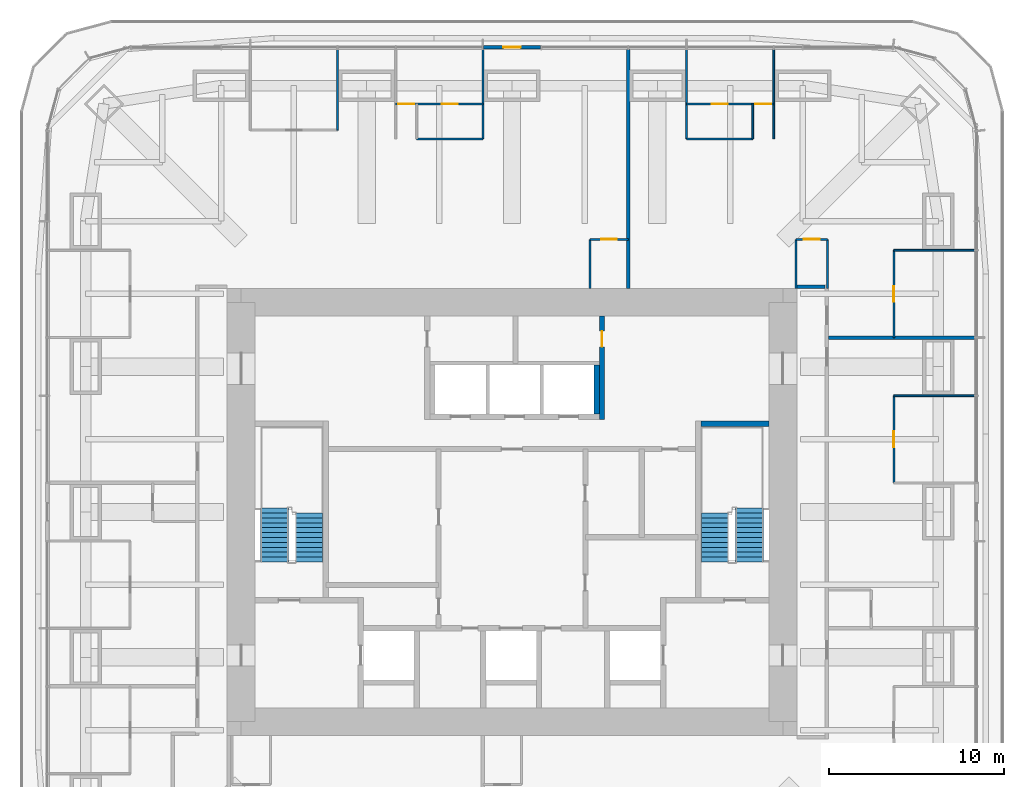
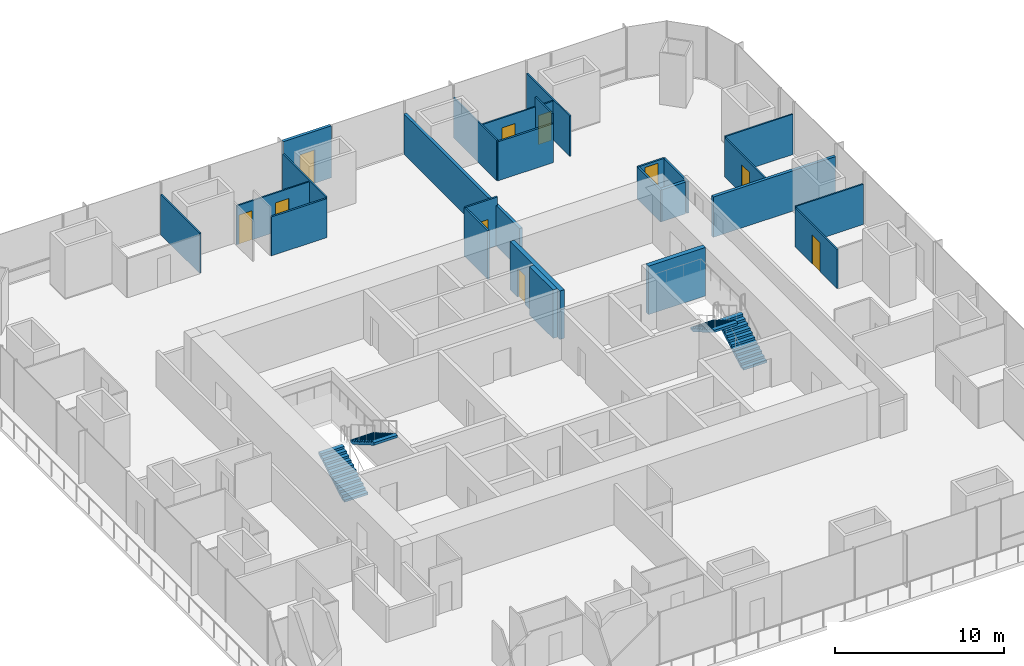
# One storey, part 11 of 15: 25 walls, 10 doors, 4 stair flights, 10 openings, 2 elements without a shape of their own.
"""IFC4 building model written with IfcOpenShell, lengths in metres."""

from ifc_helpers import new_model, si_unit, direction, frame, frame_2d, origin, place, context, subcontext, project, spatial, polyline, rectangle, outline, extrude, material, layer, layer_set, type_object, element, fill, aggregate, save


model = new_model("IFC4")

# Units and contexts
model_context = context("Model", 3, precision=1e-05, world=origin(), true_north=direction((0.0, 1.0)))
body_context = subcontext(model_context, "Body", "Model", "MODEL_VIEW")
ifc_project = project(units=[si_unit("LENGTHUNIT", "METRE"), si_unit("AREAUNIT", "SQUARE_METRE"), si_unit("VOLUMEUNIT", "CUBIC_METRE"), si_unit("PLANEANGLEUNIT", "RADIAN"), si_unit("MASSUNIT", "GRAM", prefix="KILO")], contexts=[model_context])

# Site, building, storey
site_placement = place(None, origin())
site = spatial("IfcSite", under=ifc_project, at=site_placement, CompositionType="ELEMENT")
building_placement = place(site_placement, origin())
building = spatial("IfcBuilding", under=site, at=building_placement, Name="Khuree Lantern Residences", CompositionType="ELEMENT")
storey_placement = place(building_placement, frame((0.0, 0.0, 199.5)))
storey = spatial("IfcBuildingStorey", under=building, at=storey_placement, Name="L49", CompositionType="ELEMENT", Elevation=199.5)

# Wall
ifc_material_1 = material(Name="Moisture-resistant gypsum board on steel studs", Category="steel")
ifc_layer_1 = layer(ifc_material_1, 0.125)
ifc_layer_set_1 = layer_set([ifc_layer_1], Name="BATHROOM WALL BTW125")
wall_type_1 = type_object("IfcWallType", Name="BATHROOM WALL BTW125", PredefinedType="PARTITIONING", material=ifc_layer_set_1)
wall_1_placement = place(storey_placement, frame((13.77587890625, 21.344970703125, 0.0), z_axis=(0.0, 0.0, 1.0), x_axis=(-1.0, 0.0, 0.0)))
element("IfcWall", 1, at=wall_1_placement, inside=storey, type_object=wall_type_1, Name="L49 BATHROOM WALL 02", PredefinedType="PARTITIONING", context=body_context, shape_type="SweptSolid", body=[
    extrude(rectangle(XDim=3.7919921875, YDim=0.125, at=frame_2d((1.89599609375, 0.0))), origin(), (0.0, 0.0, 1.0), 2.81005859375),
])

# Wall, opening, door
wall_2_placement = place(storey_placement, frame((18.050048828125, 15.60009765625, 0.0), z_axis=(0.0, 0.0, 1.0), x_axis=(-1.0, 0.0, 0.0)))
wall_2 = element("IfcWall", 2, at=wall_2_placement, inside=storey, type_object=wall_type_1, Name="L49 BATHROOM WALL 02", PredefinedType="PARTITIONING", context=body_context, shape_type="SweptSolid", body=[
    extrude(rectangle(XDim=1.800048828125, YDim=0.125, at=frame_2d((0.89990234375, 0.0))), origin(), (0.0, 0.0, 1.0), 2.300048828125),
])
opening_1_placement = place(wall_2_placement, frame((0.449951171875, 0.0, 0.0)))
opening_1 = element("IfcOpeningElement", 3, at=opening_1_placement, cuts=wall_2, Name="Opening 49-029", PredefinedType="OPENING", context=body_context, shape_type="SweptSolid", body=[
    extrude(rectangle(XDim=0.89990234375, YDim=2.10009765625, at=frame_2d((0.449951171875, 1.050048828125))), frame((0.0, 0.072509765625, 0.0), z_axis=(0.0, -1.0, 0.0), x_axis=(1.0, 0.0, 0.0)), (0.0, 0.0, 1.0), 0.14501953125),
])
ifc_material_2 = material(Name="Timber door leaf in hardwood frame", Category="wood")
door_type_1 = type_object("IfcDoorType", Name="BATHROOM DOOR 900X2100", OperationType="SINGLE_SWING_LEFT", PredefinedType="DOOR", material=ifc_material_2)
door_1_placement = place(opening_1_placement, origin())
door_1 = element("IfcDoor", 4, at=door_1_placement, inside=storey, type_object=door_type_1, Name="Bathroom door 49-029", OperationType="SINGLE_SWING_LEFT", OverallHeight=2.10009765625, OverallWidth=0.89990234375, PredefinedType="DOOR", context=body_context, shape_type="SweptSolid", body=[
    extrude(rectangle(XDim=0.89990234375, YDim=2.10009765625, at=frame_2d((0.449951171875, 1.050048828125))), frame((0.0, 0.02490234375, 0.0), z_axis=(0.0, -1.0, 0.0), x_axis=(1.0, 0.0, 0.0)), (0.0, 0.0, 1.0), 0.050048828125),
])
fill(opening_1, door_1)

# Walls
for number, where, z_axis, x_axis, name in (
    (5, (18.050048828125, 12.800048828125, 0.0), (0.0, 0.0, 1.0), (0.0, 1.0, 0.0), "L49 BATHROOM WALL 02"),
    (6, (16.25, 12.800048828125, 0.0), (0.0, 0.0, 1.0), (0.0, 1.0, 0.0), "L49 BATHROOM WALL 02"),
):
    element("IfcWall", number, at=place(storey_placement, frame(where, z_axis=z_axis, x_axis=x_axis)), inside=storey, type_object=wall_type_1, Name=name, PredefinedType="PARTITIONING", context=body_context, shape_type="SweptSolid", body=[
        extrude(rectangle(XDim=2.800048828125, YDim=0.125, at=frame_2d((1.39990234375, 0.0))), origin(), (0.0, 0.0, 1.0), 2.300048828125),
    ])
wall_3_placement = place(storey_placement, frame((-1.6640625, 21.344970703125, 0.0), z_axis=(0.0, 0.0, 1.0), x_axis=(-1.0, 0.0, 0.0)))
element("IfcWall", 7, at=wall_3_placement, inside=storey, type_object=wall_type_1, Name="L49 BATHROOM WALL 03", PredefinedType="PARTITIONING", context=body_context, shape_type="SweptSolid", body=[
    extrude(rectangle(XDim=3.7919921875, YDim=0.125, at=frame_2d((1.89599609375, 0.0))), origin(), (0.0, 0.0, 1.0), 2.81005859375),
])

# Wall, opening, door
wall_4_placement = place(storey_placement, frame((6.656005859375, 15.60009765625, 0.0), z_axis=(0.0, 0.0, 1.0), x_axis=(-1.0, 0.0, 0.0)))
wall_4 = element("IfcWall", 8, at=wall_4_placement, inside=storey, type_object=wall_type_1, Name="L49 BATHROOM WALL 03", PredefinedType="PARTITIONING", context=body_context, shape_type="SweptSolid", body=[
    extrude(rectangle(XDim=2.199951171875, YDim=0.125, at=frame_2d((1.10009765625, 0.0))), origin(), (0.0, 0.0, 1.0), 3.5),
])
opening_2_placement = place(wall_4_placement, frame((0.64990234375, 0.0, 0.0)))
opening_2 = element("IfcOpeningElement", 9, at=opening_2_placement, cuts=wall_4, Name="Opening 49-035", PredefinedType="OPENING", context=body_context, shape_type="SweptSolid", body=[
    extrude(rectangle(XDim=0.89990234375, YDim=2.10009765625, at=frame_2d((0.449951171875, 1.050048828125))), frame((0.0, 0.072509765625, 0.0), z_axis=(0.0, -1.0, 0.0), x_axis=(1.0, 0.0, 0.0)), (0.0, 0.0, 1.0), 0.14501953125),
])
door_2_placement = place(opening_2_placement, origin())
door_2 = element("IfcDoor", 10, at=door_2_placement, inside=storey, type_object=door_type_1, Name="Bathroom door 49-035", OperationType="SINGLE_SWING_LEFT", OverallHeight=2.10009765625, OverallWidth=0.89990234375, PredefinedType="DOOR", context=body_context, shape_type="SweptSolid", body=[
    extrude(rectangle(XDim=0.89990234375, YDim=2.10009765625, at=frame_2d((0.449951171875, 1.050048828125))), frame((0.0, 0.02490234375, 0.0), z_axis=(0.0, -1.0, 0.0), x_axis=(1.0, 0.0, 0.0)), (0.0, 0.0, 1.0), 0.050048828125),
])
fill(opening_2, door_2)

# Walls
wall_5_placement = place(storey_placement, frame((4.4560546875, 12.800048828125, 0.0), z_axis=(0.0, 0.0, 1.0), x_axis=(0.0, 1.0, 0.0)))
element("IfcWall", 11, at=wall_5_placement, inside=storey, type_object=wall_type_1, Name="L49 BATHROOM WALL 03", PredefinedType="PARTITIONING", context=body_context, shape_type="SweptSolid", body=[
    extrude(rectangle(XDim=2.800048828125, YDim=0.125, at=frame_2d((1.39990234375, 0.0))), origin(), (0.0, 0.0, 1.0), 3.5),
])
ifc_material_3 = material(Name="Dense concrete blockwork", Category="masonry")
ifc_layer_2 = layer(ifc_material_3, 0.300048828125)
ifc_layer_set_2 = layer_set([ifc_layer_2], Name="CORE PARTITION WALL CPW300 EI 120")
wall_type_2 = type_object("IfcWallType", Name="CORE PARTITION WALL CPW300 EI 120", PredefinedType="PARTITIONING", material=ifc_layer_set_2)
wall_6_placement = place(storey_placement, frame((4.85009765625, 5.60009765625, 0.0), z_axis=(0.0, 0.0, 1.0), x_axis=(0.0, 1.0, 0.0)))
element("IfcWall", 12, at=wall_6_placement, inside=storey, type_object=wall_type_2, Name="L49 CORE WALL PHE", PredefinedType="PARTITIONING", context=body_context, shape_type="SweptSolid", body=[
    extrude(rectangle(XDim=2.7998046875, YDim=0.300048828125, at=frame_2d((1.39990234375, 0.0))), origin(), (0.0, 0.0, 1.0), 3.5),
])

# Wall, opening, door
wall_7_placement = place(storey_placement, frame((5.14990234375, 5.300048828125, 0.0), z_axis=(0.0, 0.0, 1.0), x_axis=(0.0, 1.0, 0.0)))
wall_7 = element("IfcWall", 13, at=wall_7_placement, inside=storey, type_object=wall_type_2, Name="L49 CORE WALL NE", PredefinedType="PARTITIONING", context=body_context, shape_type="SweptSolid", body=[
    extrude(rectangle(XDim=5.89990234375, YDim=0.300048828125, at=frame_2d((2.949951171875, 0.0))), origin(), (0.0, 0.0, 1.0), 3.5),
])
opening_3_placement = place(wall_7_placement, frame((4.14990234375, 0.0, 0.0)))
opening_3 = element("IfcOpeningElement", 14, at=opening_3_placement, cuts=wall_7, Name="Opening 49-022", PredefinedType="OPENING", context=body_context, shape_type="SweptSolid", body=[
    extrude(rectangle(XDim=0.89990234375, YDim=2.10009765625, at=frame_2d((0.449951171875, 1.050048828125))), frame((0.0, 0.16015625, 0.0), z_axis=(0.0, -1.0, 0.0), x_axis=(1.0, 0.0, 0.0)), (0.0, 0.0, 1.0), 0.320068359375),
])
door_type_2 = type_object("IfcDoorType", Name="DOOR 900X2100", OperationType="SINGLE_SWING_LEFT", PredefinedType="DOOR", material=ifc_material_2)
door_3_placement = place(opening_3_placement, origin())
door_3 = element("IfcDoor", 15, at=door_3_placement, inside=storey, type_object=door_type_2, Name="Building management room door 49-022", OperationType="SINGLE_SWING_LEFT", OverallHeight=2.10009765625, OverallWidth=0.89990234375, PredefinedType="DOOR", context=body_context, shape_type="SweptSolid", body=[
    extrude(rectangle(XDim=0.89990234375, YDim=2.10009765625, at=frame_2d((0.449951171875, 1.050048828125))), frame((0.0, 0.02490234375, 0.0), z_axis=(0.0, -1.0, 0.0), x_axis=(1.0, 0.0, 0.0)), (0.0, 0.0, 1.0), 0.050048828125),
])
fill(opening_3, door_3)

# Walls
ifc_material_4 = material(Name="Gypsum board on steel studs", Category="steel")
ifc_layer_3 = layer(ifc_material_4, 0.199951171875)
ifc_layer_set_3 = layer_set([ifc_layer_3], Name="CORRIDOR WALL CRW200 EI 60")
wall_type_3 = type_object("IfcWallType", Name="CORRIDOR WALL CRW200 EI 60", PredefinedType="PARTITIONING", material=ifc_layer_set_3)
wall_8_placement = place(storey_placement, frame((16.300048828125, 12.89990234375, 0.0), z_axis=(0.0, 0.0, 1.0), x_axis=(1.0, 0.0, 0.0)))
element("IfcWall", 16, at=wall_8_placement, inside=storey, type_object=wall_type_3, Name="L49 EAST CORRIDOR NORTH END WALL", PredefinedType="PARTITIONING", context=body_context, shape_type="SweptSolid", body=[
    extrude(rectangle(XDim=1.599853515625, YDim=0.199951171875, at=frame_2d((0.7998046875, 0.0))), origin(), (0.0, 0.0, 1.0), 2.300048828125),
])
ifc_layer_4 = layer(ifc_material_4, 0.199951171875)
ifc_layer_set_4 = layer_set([ifc_layer_4], Name="DEMISING WALL DMW200 EI 90")
wall_type_4 = type_object("IfcWallType", Name="DEMISING WALL DMW200 EI 90", PredefinedType="PARTITIONING", material=ifc_layer_set_4)
wall_9_placement = place(storey_placement, frame((18.10009765625, 9.98388671875, 0.0), z_axis=(0.0, 0.0, 1.0), x_axis=(1.0, 0.0, 0.0)))
element("IfcWall", 17, at=wall_9_placement, inside=storey, type_object=wall_type_4, Name="L49 DEMISING WALL 02", PredefinedType="PARTITIONING", context=body_context, shape_type="SweptSolid", body=[
    extrude(rectangle(XDim=8.349853515625, YDim=0.199951171875, at=frame_2d((4.1748046875, 0.0))), origin(), (0.0, 0.0, 1.0), 2.909912109375),
])
wall_10_placement = place(storey_placement, frame((6.656005859375, 12.800048828125, 0.0), z_axis=(0.0, 0.0, 1.0), x_axis=(0.0, 1.0, 0.0)))
element("IfcWall", 18, at=wall_10_placement, inside=storey, type_object=wall_type_4, Name="L49 DEMISING WALL 03", PredefinedType="PARTITIONING", context=body_context, shape_type="SweptSolid", body=[
    extrude(rectangle(XDim=13.64990234375, YDim=0.199951171875, at=frame_2d((6.824951171875, 0.0))), origin(), (0.0, 0.0, 1.0), 2.909912109375),
])
ifc_layer_5 = layer(ifc_material_4, 0.10009765625)
ifc_layer_set_5 = layer_set([ifc_layer_5], Name="PARTITION PT100")
wall_type_5 = type_object("IfcWallType", Name="PARTITION PT100", PredefinedType="PARTITIONING", material=ifc_layer_set_5)
for number, where, z_axis, x_axis, name in (
    (19, (21.85009765625, 6.656005859375, 0.0), (0.0, 0.0, 1.0), (1.0, 0.0, 0.0), "L49 PARTITION 01"),
    (20, (21.85009765625, 14.97607421875, 0.0), (0.0, 0.0, 1.0), (1.0, 0.0, 0.0), "L49 PARTITION 02"),
):
    element("IfcWall", number, at=place(storey_placement, frame(where, z_axis=z_axis, x_axis=x_axis)), inside=storey, type_object=wall_type_5, Name=name, PredefinedType="PARTITIONING", context=body_context, shape_type="SweptSolid", body=[
        extrude(rectangle(XDim=4.599853515625, YDim=0.10009765625, at=frame_2d((2.2998046875, 0.0))), origin(), (0.0, 0.0, 1.0), 2.909912109375),
    ])
for number, where, z_axis, x_axis, name in (
    (21, (14.97607421875, 21.344970703125, 0.0), (0.0, 0.0, 1.0), (0.0, 1.0, 0.0), "L49 PARTITION 02"),
    (22, (9.98388671875, 21.344970703125, 0.0), (0.0, 0.0, 1.0), (0.0, 1.0, 0.0), "L49 PARTITION 02"),
    (23, (-1.6640625, 21.344970703125, 0.0), (0.0, 0.0, 1.0), (0.0, 1.0, 0.0), "L49 PARTITION 03"),
):
    element("IfcWall", number, at=place(storey_placement, frame(where, z_axis=z_axis, x_axis=x_axis)), inside=storey, type_object=wall_type_5, Name=name, PredefinedType="PARTITIONING", context=body_context, shape_type="SweptSolid", body=[
        extrude(rectangle(XDim=5.10498046875, YDim=0.10009765625, at=frame_2d((2.552490234375, 0.0))), origin(), (0.0, 0.0, 1.0), 2.909912109375),
    ])
wall_11_placement = place(storey_placement, frame((-9.98388671875, 21.85009765625, 0.0), z_axis=(0.0, 0.0, 1.0), x_axis=(0.0, 1.0, 0.0)))
element("IfcWall", 24, at=wall_11_placement, inside=storey, type_object=wall_type_5, Name="L49 PARTITION 03", PredefinedType="PARTITIONING", context=body_context, shape_type="SweptSolid", body=[
    extrude(rectangle(XDim=4.599853515625, YDim=0.10009765625, at=frame_2d((2.2998046875, 0.0))), origin(), (0.0, 0.0, 1.0), 2.909912109375),
])

# Wall, opening, door
wall_12_placement = place(storey_placement, frame((21.85009765625, 1.6640625, 0.0), z_axis=(0.0, 0.0, 1.0), x_axis=(0.0, 1.0, 0.0)))
wall_12 = element("IfcWall", 25, at=wall_12_placement, inside=storey, type_object=wall_type_5, Name="L49 PARTITION 01", PredefinedType="PARTITIONING", context=body_context, shape_type="SweptSolid", body=[
    extrude(rectangle(XDim=4.991943359375, YDim=0.10009765625, at=frame_2d((2.49609375, 0.0))), origin(), (0.0, 0.0, 1.0), 2.81005859375),
])
opening_4_placement = place(wall_12_placement, frame((2.0458984375, 0.0, 0.0)))
opening_4 = element("IfcOpeningElement", 26, at=opening_4_placement, cuts=wall_12, Name="Opening 49-023", PredefinedType="OPENING", context=body_context, shape_type="SweptSolid", body=[
    extrude(rectangle(XDim=0.89990234375, YDim=2.10009765625, at=frame_2d((0.449951171875, 1.050048828125))), frame((0.0, 0.06005859375, 0.0), z_axis=(0.0, -1.0, 0.0), x_axis=(1.0, 0.0, 0.0)), (0.0, 0.0, 1.0), 0.1201171875),
])
door_type_3 = type_object("IfcDoorType", Name="BEDROOM DOOR 900X2100", OperationType="SINGLE_SWING_LEFT", PredefinedType="DOOR", material=ifc_material_2)
door_4_placement = place(opening_4_placement, origin())
door_4 = element("IfcDoor", 27, at=door_4_placement, inside=storey, type_object=door_type_3, Name="Bedroom door 49-023", OperationType="SINGLE_SWING_LEFT", OverallHeight=2.10009765625, OverallWidth=0.89990234375, PredefinedType="DOOR", context=body_context, shape_type="SweptSolid", body=[
    extrude(rectangle(XDim=0.89990234375, YDim=2.10009765625, at=frame_2d((0.449951171875, 1.050048828125))), frame((0.0, 0.02490234375, 0.0), z_axis=(0.0, -1.0, 0.0), x_axis=(1.0, 0.0, 0.0)), (0.0, 0.0, 1.0), 0.050048828125),
])
fill(opening_4, door_4)

wall_13_placement = place(storey_placement, frame((21.85009765625, 9.98388671875, 0.0), z_axis=(0.0, 0.0, 1.0), x_axis=(0.0, 1.0, 0.0)))
wall_13 = element("IfcWall", 28, at=wall_13_placement, inside=storey, type_object=wall_type_5, Name="L49 PARTITION 02", PredefinedType="PARTITIONING", context=body_context, shape_type="SweptSolid", body=[
    extrude(rectangle(XDim=4.9921875, YDim=0.10009765625, at=frame_2d((2.49609375, 0.0))), origin(), (0.0, 0.0, 1.0), 2.81005859375),
])
opening_5_placement = place(wall_13_placement, frame((2.0458984375, 0.0, 0.0)))
opening_5 = element("IfcOpeningElement", 29, at=opening_5_placement, cuts=wall_13, Name="Opening 49-026", PredefinedType="OPENING", context=body_context, shape_type="SweptSolid", body=[
    extrude(rectangle(XDim=0.89990234375, YDim=2.10009765625, at=frame_2d((0.449951171875, 1.050048828125))), frame((0.0, 0.06005859375, 0.0), z_axis=(0.0, -1.0, 0.0), x_axis=(1.0, 0.0, 0.0)), (0.0, 0.0, 1.0), 0.1201171875),
])
door_5_placement = place(opening_5_placement, origin())
door_5 = element("IfcDoor", 30, at=door_5_placement, inside=storey, type_object=door_type_3, Name="Bedroom door 49-026", OperationType="SINGLE_SWING_LEFT", OverallHeight=2.10009765625, OverallWidth=0.89990234375, PredefinedType="DOOR", context=body_context, shape_type="SweptSolid", body=[
    extrude(rectangle(XDim=0.89990234375, YDim=2.10009765625, at=frame_2d((0.449951171875, 1.050048828125))), frame((0.0, 0.02490234375, 0.0), z_axis=(0.0, -1.0, 0.0), x_axis=(1.0, 0.0, 0.0)), (0.0, 0.0, 1.0), 0.050048828125),
])
fill(opening_5, door_5)

# Wall, openings, doors
wall_14_placement = place(storey_placement, frame((14.97607421875, 23.344970703125, 0.0), z_axis=(0.0, 0.0, 1.0), x_axis=(-1.0, 0.0, 0.0)))
wall_14 = element("IfcWall", 31, at=wall_14_placement, inside=storey, type_object=wall_type_5, Name="L49 PARTITION 02", PredefinedType="PARTITIONING", context=body_context, shape_type="SweptSolid", body=[
    extrude(rectangle(XDim=4.9921875, YDim=0.10009765625, at=frame_2d((2.49609375, 0.0))), origin(), (0.0, 0.0, 1.0), 2.81005859375),
])
opening_6_placement = place(wall_14_placement, frame((0.14990234375, 0.0, 0.0)))
opening_6 = element("IfcOpeningElement", 32, at=opening_6_placement, cuts=wall_14, Name="Opening 49-027", PredefinedType="OPENING", context=body_context, shape_type="SweptSolid", body=[
    extrude(rectangle(XDim=0.89990234375, YDim=2.10009765625, at=frame_2d((0.449951171875, 1.050048828125))), frame((0.0, 0.06005859375, 0.0), z_axis=(0.0, -1.0, 0.0), x_axis=(1.0, 0.0, 0.0)), (0.0, 0.0, 1.0), 0.1201171875),
])
opening_7_placement = place(wall_14_placement, frame((2.64599609375, 0.0, 0.0)))
opening_7 = element("IfcOpeningElement", 33, at=opening_7_placement, cuts=wall_14, Name="Opening 49-028", PredefinedType="OPENING", context=body_context, shape_type="SweptSolid", body=[
    extrude(rectangle(XDim=0.89990234375, YDim=2.10009765625, at=frame_2d((0.449951171875, 1.050048828125))), frame((0.0, 0.06005859375, 0.0), z_axis=(0.0, -1.0, 0.0), x_axis=(1.0, 0.0, 0.0)), (0.0, 0.0, 1.0), 0.1201171875),
])
door_6_placement = place(opening_7_placement, origin())
door_6 = element("IfcDoor", 34, at=door_6_placement, inside=storey, type_object=door_type_1, Name="Bathroom door 49-028", OperationType="SINGLE_SWING_LEFT", OverallHeight=2.10009765625, OverallWidth=0.89990234375, PredefinedType="DOOR", context=body_context, shape_type="SweptSolid", body=[
    extrude(rectangle(XDim=0.89990234375, YDim=2.10009765625, at=frame_2d((0.449951171875, 1.050048828125))), frame((0.0, 0.02490234375, 0.0), z_axis=(0.0, -1.0, 0.0), x_axis=(1.0, 0.0, 0.0)), (0.0, 0.0, 1.0), 0.050048828125),
])
fill(opening_7, door_6)
door_7_placement = place(opening_6_placement, origin())
door_7 = element("IfcDoor", 35, at=door_7_placement, inside=storey, type_object=door_type_3, Name="Bedroom door 49-027", OperationType="SINGLE_SWING_LEFT", OverallHeight=2.10009765625, OverallWidth=0.89990234375, PredefinedType="DOOR", context=body_context, shape_type="SweptSolid", body=[
    extrude(rectangle(XDim=0.89990234375, YDim=2.10009765625, at=frame_2d((0.449951171875, 1.050048828125))), frame((0.0, 0.02490234375, 0.0), z_axis=(0.0, -1.0, 0.0), x_axis=(1.0, 0.0, 0.0)), (0.0, 0.0, 1.0), 0.050048828125),
])
fill(opening_6, door_7)

# Wall
wall_15_placement = place(storey_placement, frame((13.77587890625, 21.344970703125, 0.0), z_axis=(0.0, 0.0, 1.0), x_axis=(0.0, 1.0, 0.0)))
element("IfcWall", 36, at=wall_15_placement, inside=storey, type_object=wall_type_5, Name="L49 PARTITION 02", PredefinedType="PARTITIONING", context=body_context, shape_type="SweptSolid", body=[
    extrude(rectangle(XDim=2.0, YDim=0.10009765625, at=frame_2d((1.0, 0.0))), origin(), (0.0, 0.0, 1.0), 3.5),
])

# Wall, openings, doors
wall_16_placement = place(storey_placement, frame((-1.6640625, 23.344970703125, 0.0), z_axis=(0.0, 0.0, 1.0), x_axis=(-1.0, 0.0, 0.0)))
wall_16 = element("IfcWall", 37, at=wall_16_placement, inside=storey, type_object=wall_type_5, Name="L49 PARTITION 03", PredefinedType="PARTITIONING", context=body_context, shape_type="SweptSolid", body=[
    extrude(rectangle(XDim=4.991943359375, YDim=0.10009765625, at=frame_2d((2.49609375, 0.0))), origin(), (0.0, 0.0, 1.0), 2.81005859375),
])
opening_8_placement = place(wall_16_placement, frame((3.94189453125, 0.0, 0.0)))
opening_8 = element("IfcOpeningElement", 38, at=opening_8_placement, cuts=wall_16, Name="Opening 49-031", PredefinedType="OPENING", context=body_context, shape_type="SweptSolid", body=[
    extrude(rectangle(XDim=0.89990234375, YDim=2.10009765625, at=frame_2d((0.449951171875, 1.050048828125))), frame((0.0, 0.06005859375, 0.0), z_axis=(0.0, -1.0, 0.0), x_axis=(1.0, 0.0, 0.0)), (0.0, 0.0, 1.0), 0.1201171875),
])
opening_9_placement = place(wall_16_placement, frame((1.446044921875, 0.0, 0.0)))
opening_9 = element("IfcOpeningElement", 39, at=opening_9_placement, cuts=wall_16, Name="Opening 49-032", PredefinedType="OPENING", context=body_context, shape_type="SweptSolid", body=[
    extrude(rectangle(XDim=0.89990234375, YDim=2.10009765625, at=frame_2d((0.449951171875, 1.050048828125))), frame((0.0, 0.06005859375, 0.0), z_axis=(0.0, -1.0, 0.0), x_axis=(1.0, 0.0, 0.0)), (0.0, 0.0, 1.0), 0.1201171875),
])
door_8_placement = place(opening_9_placement, origin())
door_8 = element("IfcDoor", 40, at=door_8_placement, inside=storey, type_object=door_type_1, Name="Bathroom door 49-032", OperationType="SINGLE_SWING_LEFT", OverallHeight=2.10009765625, OverallWidth=0.89990234375, PredefinedType="DOOR", context=body_context, shape_type="SweptSolid", body=[
    extrude(rectangle(XDim=0.89990234375, YDim=2.10009765625, at=frame_2d((0.449951171875, 1.050048828125))), frame((0.0, 0.02490234375, 0.0), z_axis=(0.0, -1.0, 0.0), x_axis=(1.0, 0.0, 0.0)), (0.0, 0.0, 1.0), 0.050048828125),
])
fill(opening_9, door_8)
door_9_placement = place(opening_8_placement, origin())
door_9 = element("IfcDoor", 41, at=door_9_placement, inside=storey, type_object=door_type_3, Name="Bedroom door 49-031", OperationType="SINGLE_SWING_LEFT", OverallHeight=2.10009765625, OverallWidth=0.89990234375, PredefinedType="DOOR", context=body_context, shape_type="SweptSolid", body=[
    extrude(rectangle(XDim=0.89990234375, YDim=2.10009765625, at=frame_2d((0.449951171875, 1.050048828125))), frame((0.0, 0.02490234375, 0.0), z_axis=(0.0, -1.0, 0.0), x_axis=(1.0, 0.0, 0.0)), (0.0, 0.0, 1.0), 0.050048828125),
])
fill(opening_8, door_9)

# Wall
ifc_material_5 = material(Name="Concrete C50/60", Category="concrete")
ifc_layer_6 = layer(ifc_material_5, 0.300048828125)
ifc_layer_set_6 = layer_set([ifc_layer_6], Name="STAIR WALL SRW300 C50/60 REI 240")
wall_type_6 = type_object("IfcWallType", Name="STAIR WALL SRW300 C50/60 REI 240", PredefinedType="SOLIDWALL", material=ifc_layer_set_6)
wall_17_placement = place(storey_placement, frame((14.699951171875, 5.050048828125, 0.0), z_axis=(0.0, 0.0, 1.0), x_axis=(-1.0, 0.0, 0.0)))
element("IfcWall", 42, at=wall_17_placement, inside=storey, type_object=wall_type_6, Name="L49 STAIR WALL ST2N", PredefinedType="SOLIDWALL", context=body_context, shape_type="SweptSolid", body=[
    extrude(rectangle(XDim=3.89990234375, YDim=0.300048828125, at=frame_2d((1.949951171875, 0.0))), origin(), (0.0, 0.0, 1.0), 3.5),
])

# Wall, opening, door
ifc_material_6 = material(Name="Bronze anodised aluminium insulated panel", Category="aluminium")
ifc_layer_7 = layer(ifc_material_6, 0.199951171875)
ifc_layer_set_7 = layer_set([ifc_layer_7], Name="TERRACE DOOR SURROUND TS1 200")
wall_type_7 = type_object("IfcWallType", Name="TERRACE DOOR SURROUND TS1 200", PredefinedType="ELEMENTEDWALL", material=ifc_layer_set_7)
wall_18_placement = place(storey_placement, frame((1.631591796875, 26.580078125, 0.0), z_axis=(0.0, 0.0, 1.0), x_axis=(-1.0, 0.0, 0.0)))
wall_18 = element("IfcWall", 43, at=wall_18_placement, inside=storey, type_object=wall_type_7, Name="L49 NORTH FACE TERRACE DOOR SURROUND 23", PredefinedType="ELEMENTEDWALL", context=body_context, shape_type="SweptSolid", body=[
    extrude(rectangle(XDim=3.26318359375, YDim=0.199951171875, at=frame_2d((1.631591796875, 0.0))), origin(), (0.0, 0.0, 1.0), 3.75),
])
opening_10_placement = place(wall_18_placement, frame((1.131591796875, 0.0, 0.0)))
opening_10 = element("IfcOpeningElement", 44, at=opening_10_placement, cuts=wall_18, Name="Opening 49-T02", PredefinedType="OPENING", context=body_context, shape_type="SweptSolid", body=[
    extrude(rectangle(XDim=1.0, YDim=2.39990234375, at=frame_2d((0.5, 1.199951171875))), frame((0.0, 0.10986328125, 0.0), z_axis=(0.0, -1.0, 0.0), x_axis=(1.0, 0.0, 0.0)), (0.0, 0.0, 1.0), 0.219970703125),
])
ifc_material_7 = material(Name="Bronze anodised aluminium framed triple glazing", Category="aluminium")
door_type_4 = type_object("IfcDoorType", Name="TERRACE DOOR D-T1 1000X2400", OperationType="SINGLE_SWING_RIGHT", PredefinedType="DOOR", material=ifc_material_7)
door_10_placement = place(opening_10_placement, origin())
door_10 = element("IfcDoor", 45, at=door_10_placement, inside=storey, type_object=door_type_4, Name="L49 NORTH FACE TERRACE DOOR 49-T02", OperationType="SINGLE_SWING_LEFT", OverallHeight=2.39990234375, OverallWidth=1.0, PredefinedType="DOOR", context=body_context, shape_type="SweptSolid", body=[
    extrude(rectangle(XDim=1.0, YDim=2.39990234375, at=frame_2d((0.5, 1.199951171875))), frame((0.0, 0.02490234375, 0.0), z_axis=(0.0, -1.0, 0.0), x_axis=(1.0, 0.0, 0.0)), (0.0, 0.0, 1.0), 0.050048828125),
])
fill(opening_10, door_10)

# Stair, stair flights
ifc_material_8 = material(Name="Concrete C40/50", Category="concrete")
stair_type = type_object("IfcStairType", Name="STAIR ST1 HALF TURN 3600", PredefinedType="HALF_TURN_STAIR", material=ifc_material_8)
stair_1_placement = place(storey_placement, origin())
stair_1 = element("IfcStair", 46, at=stair_1_placement, inside=storey, type_object=stair_type, Name="Stair ST1", PredefinedType="HALF_TURN_STAIR")
stair_flight_type = type_object("IfcStairFlightType", Name="STAIR FLIGHT SF1 1600", PredefinedType="STRAIGHT", material=ifc_material_8)
stair_flight_1_placement = place(storey_placement, frame((-13.60009765625, -2.860107421875, 0.0), z_axis=(0.0, 0.0, 1.0), x_axis=(0.0, 1.0, 0.0)))
stair_flight_1 = element("IfcStairFlight", 47, at=stair_flight_1_placement, type_object=stair_flight_type, Name="ST1 flight 1", NumberOfRisers=12, NumberOfTreads=11, PredefinedType="STRAIGHT", RiserHeight=0.163043478, TreadLength=0.28, context=body_context, shape_type="SweptSolid", body=[
    extrude(outline(polyline([(0.0, 0.0), (0.0, 0.1630859375), (0.280029296875, 0.1630859375), (0.280029296875, 0.326171875), (0.56005859375, 0.326171875), (0.56005859375, 0.489013671875), (0.840087890625, 0.489013671875), (0.840087890625, 0.652099609375), (1.1201171875, 0.652099609375), (1.1201171875, 0.815185546875), (1.39990234375, 0.815185546875), (1.39990234375, 0.978271484375), (1.679931640625, 0.978271484375), (1.679931640625, 1.141357421875), (1.9599609375, 1.141357421875), (1.9599609375, 1.304443359375), (2.239990234375, 1.304443359375), (2.239990234375, 1.46728515625), (2.52001953125, 1.46728515625), (2.52001953125, 1.63037109375), (2.800048828125, 1.63037109375), (2.800048828125, 1.79345703125), (3.080078125, 1.79345703125), (3.080078125, 1.95654296875), (3.080078125, 1.6201171875), (0.2978515625, 0.0), (0.0, 0.0)])), frame((0.0, 0.800048828125, 0.0), z_axis=(0.0, -1.0, 0.0), x_axis=(1.0, 0.0, 0.0)), (0.0, 0.0, 1.0), 1.60009765625),
])
stair_flight_2_placement = place(storey_placement, frame((-11.60009765625, -0.06005859375, 1.95654296875), z_axis=(0.0, 0.0, 1.0), x_axis=(0.0, -1.0, 0.0)))
stair_flight_2 = element("IfcStairFlight", 48, at=stair_flight_2_placement, type_object=stair_flight_type, Name="ST1 flight 2", NumberOfRisers=11, NumberOfTreads=10, PredefinedType="STRAIGHT", RiserHeight=0.163043478, TreadLength=0.28, context=body_context, shape_type="SweptSolid", body=[
    extrude(outline(polyline([(0.0, 0.0), (0.0, 0.1630859375), (0.280029296875, 0.1630859375), (0.280029296875, 0.326171875), (0.56005859375, 0.326171875), (0.56005859375, 0.489013671875), (0.840087890625, 0.489013671875), (0.840087890625, 0.652099609375), (1.1201171875, 0.652099609375), (1.1201171875, 0.815185546875), (1.39990234375, 0.815185546875), (1.39990234375, 0.978271484375), (1.679931640625, 0.978271484375), (1.679931640625, 1.141357421875), (1.9599609375, 1.141357421875), (1.9599609375, 1.304443359375), (2.239990234375, 1.304443359375), (2.239990234375, 1.46728515625), (2.52001953125, 1.46728515625), (2.52001953125, 1.63037109375), (2.800048828125, 1.63037109375), (2.800048828125, 1.79345703125), (2.800048828125, 1.45703125), (0.2978515625, 0.0), (0.0, 0.0)])), frame((0.0, 0.800048828125, 0.0), z_axis=(0.0, -1.0, 0.0), x_axis=(1.0, 0.0, 0.0)), (0.0, 0.0, 1.0), 1.60009765625),
])
aggregate(stair_1, [stair_flight_1, stair_flight_2])

stair_2_placement = place(storey_placement, origin())
stair_2 = element("IfcStair", 49, at=stair_2_placement, inside=storey, type_object=stair_type, Name="Stair ST2", PredefinedType="HALF_TURN_STAIR")
stair_flight_3_placement = place(storey_placement, frame((13.60009765625, -2.860107421875, 0.0), z_axis=(0.0, 0.0, 1.0), x_axis=(0.0, 1.0, 0.0)))
stair_flight_3 = element("IfcStairFlight", 50, at=stair_flight_3_placement, type_object=stair_flight_type, Name="ST2 flight 1", NumberOfRisers=12, NumberOfTreads=11, PredefinedType="STRAIGHT", RiserHeight=0.163043478, TreadLength=0.28, context=body_context, shape_type="SweptSolid", body=[
    extrude(outline(polyline([(0.0, 0.0), (0.0, 0.1630859375), (0.280029296875, 0.1630859375), (0.280029296875, 0.326171875), (0.56005859375, 0.326171875), (0.56005859375, 0.489013671875), (0.840087890625, 0.489013671875), (0.840087890625, 0.652099609375), (1.1201171875, 0.652099609375), (1.1201171875, 0.815185546875), (1.39990234375, 0.815185546875), (1.39990234375, 0.978271484375), (1.679931640625, 0.978271484375), (1.679931640625, 1.141357421875), (1.9599609375, 1.141357421875), (1.9599609375, 1.304443359375), (2.239990234375, 1.304443359375), (2.239990234375, 1.46728515625), (2.52001953125, 1.46728515625), (2.52001953125, 1.63037109375), (2.800048828125, 1.63037109375), (2.800048828125, 1.79345703125), (3.080078125, 1.79345703125), (3.080078125, 1.95654296875), (3.080078125, 1.6201171875), (0.2978515625, 0.0), (0.0, 0.0)])), frame((0.0, 0.800048828125, 0.0), z_axis=(0.0, -1.0, 0.0), x_axis=(1.0, 0.0, 0.0)), (0.0, 0.0, 1.0), 1.60009765625),
])
stair_flight_4_placement = place(storey_placement, frame((11.60009765625, -0.06005859375, 1.95654296875), z_axis=(0.0, 0.0, 1.0), x_axis=(0.0, -1.0, 0.0)))
stair_flight_4 = element("IfcStairFlight", 51, at=stair_flight_4_placement, type_object=stair_flight_type, Name="ST2 flight 2", NumberOfRisers=11, NumberOfTreads=10, PredefinedType="STRAIGHT", RiserHeight=0.163043478, TreadLength=0.28, context=body_context, shape_type="SweptSolid", body=[
    extrude(outline(polyline([(0.0, 0.0), (0.0, 0.1630859375), (0.280029296875, 0.1630859375), (0.280029296875, 0.326171875), (0.56005859375, 0.326171875), (0.56005859375, 0.489013671875), (0.840087890625, 0.489013671875), (0.840087890625, 0.652099609375), (1.1201171875, 0.652099609375), (1.1201171875, 0.815185546875), (1.39990234375, 0.815185546875), (1.39990234375, 0.978271484375), (1.679931640625, 0.978271484375), (1.679931640625, 1.141357421875), (1.9599609375, 1.141357421875), (1.9599609375, 1.304443359375), (2.239990234375, 1.304443359375), (2.239990234375, 1.46728515625), (2.52001953125, 1.46728515625), (2.52001953125, 1.63037109375), (2.800048828125, 1.63037109375), (2.800048828125, 1.79345703125), (2.800048828125, 1.45703125), (0.2978515625, 0.0), (0.0, 0.0)])), frame((0.0, 0.800048828125, 0.0), z_axis=(0.0, -1.0, 0.0), x_axis=(1.0, 0.0, 0.0)), (0.0, 0.0, 1.0), 1.60009765625),
])
aggregate(stair_2, [stair_flight_3, stair_flight_4])

save(model, "model.ifc")
